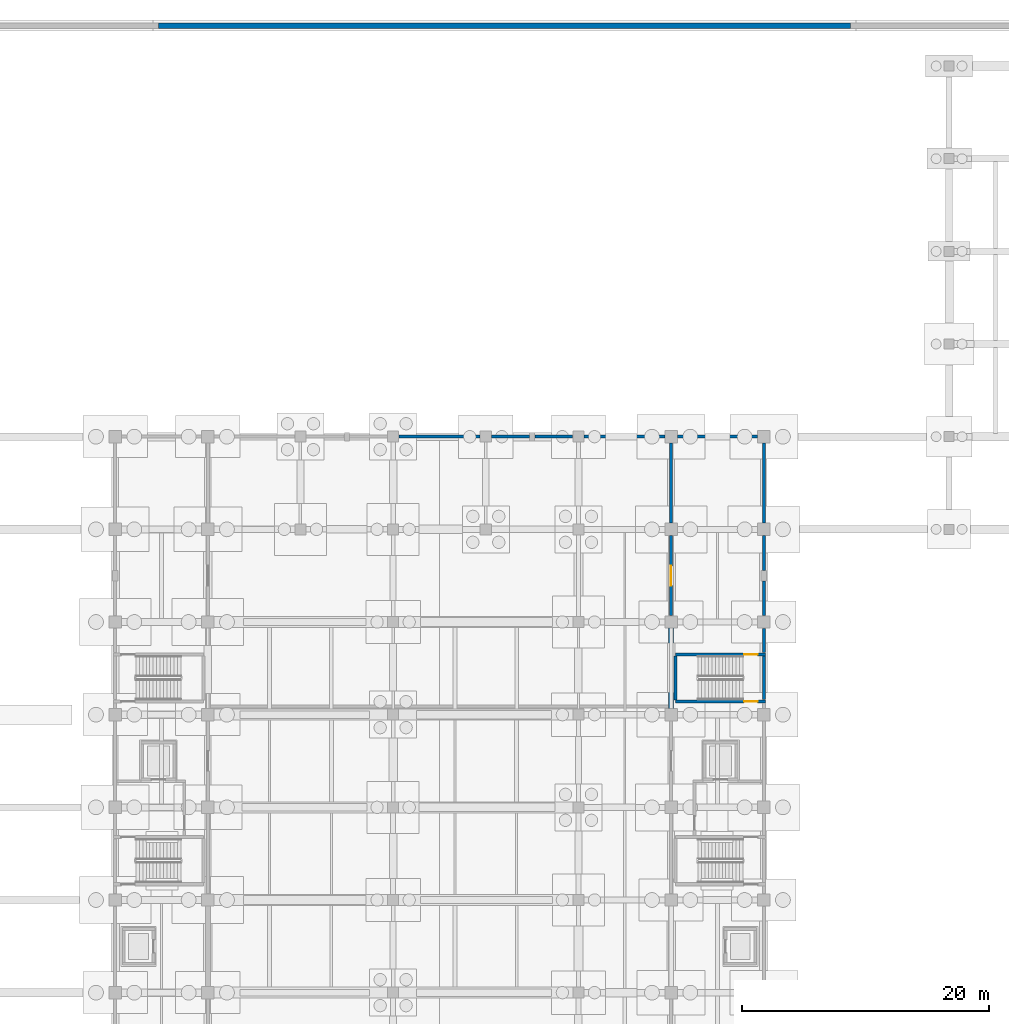
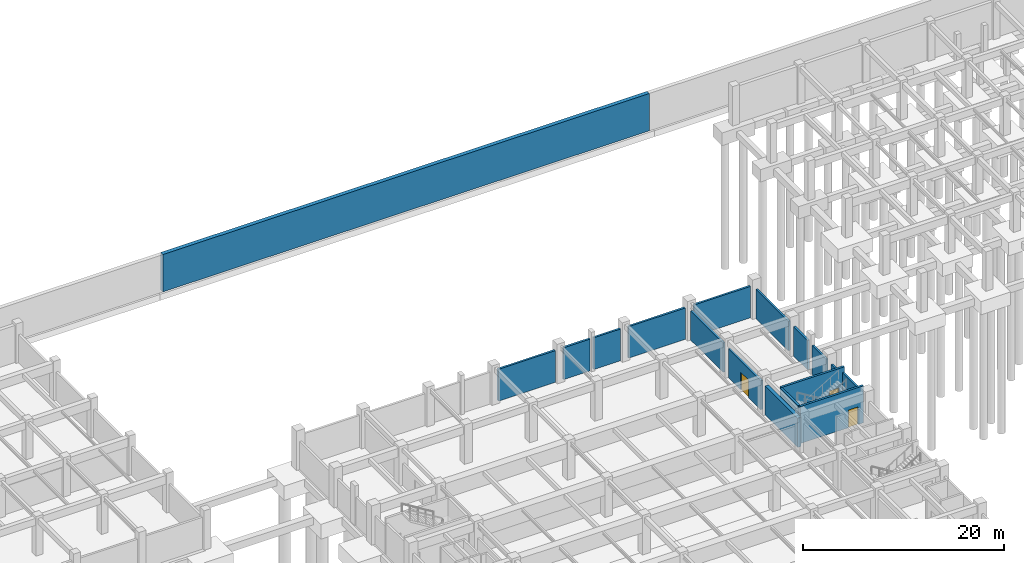
# One storey, part 27 of 38: 17 walls, 3 doors, 3 openings.
"""IFC4 building model written with IfcOpenShell, lengths in metres."""

from ifc_helpers import new_model, si_unit, direction, frame, frame_2d, origin, place, context, subcontext, project, spatial, rectangle, extrude, material, layer, layer_set, type_object, element, fill, save


model = new_model("IFC4")

# Units and contexts
model_context = context("Model", 3, precision=1e-05, world=origin(), true_north=direction((0.0, 1.0)))
body_context = subcontext(model_context, "Body", "Model", "MODEL_VIEW")
ifc_project = project(units=[si_unit("LENGTHUNIT", "METRE"), si_unit("AREAUNIT", "SQUARE_METRE"), si_unit("VOLUMEUNIT", "CUBIC_METRE"), si_unit("PLANEANGLEUNIT", "RADIAN"), si_unit("MASSUNIT", "GRAM", prefix="KILO")], contexts=[model_context])

# Site, building, storey
site_placement = place(None, origin())
site = spatial("IfcSite", under=ifc_project, at=site_placement, CompositionType="ELEMENT")
building_placement = place(site_placement, origin())
building = spatial("IfcBuilding", under=site, at=building_placement, Name="Qasida Concert Hall", CompositionType="ELEMENT")
storey_placement = place(building_placement, frame((0.0, 0.0, -4.800048828125)))
storey = spatial("IfcBuildingStorey", under=building, at=storey_placement, Name="B1", CompositionType="ELEMENT", Elevation=-4.800048828125)

# Wall, opening, door
ifc_material_1 = material(Name="Concrete C40/50", Category="concrete")
ifc_layer_1 = layer(ifc_material_1, 0.25, Name="Concrete C40/50")
ifc_layer_set_1 = layer_set([ifc_layer_1], Name="Concrete C40/50")
wall_type_1 = type_object("IfcWallType", Name="WL-CW-250", PredefinedType="SOLIDWALL", material=ifc_layer_set_1)
wall_1_placement = place(storey_placement, frame((97.860107421875, 61.074951171875, 0.0), z_axis=(0.0, 0.0, 1.0), x_axis=(1.0, 0.0, 0.0)))
wall_1 = element("IfcWall", 1, at=wall_1_placement, inside=storey, type_object=wall_type_1, Name="B1 ST-12 stairwell wall S", PredefinedType="SOLIDWALL", context=body_context, shape_type="SweptSolid", body=[
    extrude(rectangle(XDim=7.260009765625, YDim=0.25, at=frame_2d((3.6298828125, 0.0))), origin(), (0.0, 0.0, 1.0), 4.5),
])
opening_1_placement = place(wall_1_placement, frame((5.5400390625, 0.0, 0.0)))
opening_1 = element("IfcOpeningElement", 2, at=opening_1_placement, cuts=wall_1, Name="Opening FD-110", PredefinedType="OPENING", context=body_context, shape_type="SweptSolid", body=[
    extrude(rectangle(XDim=1.10009765625, YDim=2.14990234375, at=frame_2d((0.550048828125, 1.074951171875))), frame((0.0, 0.135009765625, 0.0), z_axis=(0.0, -1.0, 0.0), x_axis=(1.0, 0.0, 0.0)), (0.0, 0.0, 1.0), 0.27001953125),
])
ifc_material_2 = material(Name="Steel fire-rated stair/lobby door set", Category="steel")
door_type_1 = type_object("IfcDoorType", Name="FD-110", OperationType="NOTDEFINED", PredefinedType="DOOR", material=ifc_material_2)
door_1_placement = place(opening_1_placement, origin())
door_1 = element("IfcDoor", 3, at=door_1_placement, inside=storey, type_object=door_type_1, Name="B1 ST-12 rated stair door", OperationType="SINGLE_SWING_LEFT", OverallHeight=2.14990234375, OverallWidth=1.10009765625, PredefinedType="DOOR", context=body_context, shape_type="SweptSolid", body=[
    extrude(rectangle(XDim=1.10009765625, YDim=2.14990234375, at=frame_2d((0.550048828125, 1.074951171875))), frame((0.0, 0.02490234375, 0.0), z_axis=(0.0, -1.0, 0.0), x_axis=(1.0, 0.0, 0.0)), (0.0, 0.0, 1.0), 0.050048828125),
])
fill(opening_1, door_1)

wall_2_placement = place(storey_placement, frame((97.860107421875, 64.885009765625, 0.0), z_axis=(0.0, 0.0, 1.0), x_axis=(1.0, 0.0, 0.0)))
wall_2 = element("IfcWall", 4, at=wall_2_placement, inside=storey, type_object=wall_type_1, Name="B1 ST-12 stairwell wall N", PredefinedType="SOLIDWALL", context=body_context, shape_type="SweptSolid", body=[
    extrude(rectangle(XDim=7.260009765625, YDim=0.25, at=frame_2d((3.6298828125, 0.0))), origin(), (0.0, 0.0, 1.0), 4.5),
])
opening_2_placement = place(wall_2_placement, frame((5.5400390625, 0.0, 0.0)))
opening_2 = element("IfcOpeningElement", 5, at=opening_2_placement, cuts=wall_2, Name="Opening FD-110", PredefinedType="OPENING", context=body_context, shape_type="SweptSolid", body=[
    extrude(rectangle(XDim=1.10009765625, YDim=2.14990234375, at=frame_2d((0.550048828125, 1.074951171875))), frame((0.0, 0.135009765625, 0.0), z_axis=(0.0, -1.0, 0.0), x_axis=(1.0, 0.0, 0.0)), (0.0, 0.0, 1.0), 0.27001953125),
])
door_2_placement = place(opening_2_placement, frame((1.10009765625, 0.0, 0.0), z_axis=(0.0, 0.0, 1.0), x_axis=(-1.0, 0.0, 0.0)))
door_2 = element("IfcDoor", 6, at=door_2_placement, inside=storey, type_object=door_type_1, Name="B1 ST-12 rated stair door", OperationType="SINGLE_SWING_RIGHT", OverallHeight=2.14990234375, OverallWidth=1.10009765625, PredefinedType="DOOR", context=body_context, shape_type="SweptSolid", body=[
    extrude(rectangle(XDim=1.10009765625, YDim=2.14990234375, at=frame_2d((0.550048828125, 1.074951171875))), frame((0.0, 0.02490234375, 0.0), z_axis=(0.0, -1.0, 0.0), x_axis=(1.0, 0.0, 0.0)), (0.0, 0.0, 1.0), 0.050048828125),
])
fill(opening_2, door_2)

# Walls
wall_3_placement = place(storey_placement, frame((97.85498046875, 61.199951171875, 0.0), z_axis=(0.0, 0.0, 1.0), x_axis=(0.0, 1.0, 0.0)))
element("IfcWall", 7, at=wall_3_placement, inside=storey, type_object=wall_type_1, Name="B1 ST-12 stairwell wall W", PredefinedType="SOLIDWALL", context=body_context, shape_type="SweptSolid", body=[
    extrude(rectangle(XDim=3.56005859375, YDim=0.25, at=frame_2d((1.780029296875, 0.0))), origin(), (0.0, 0.0, 1.0), 4.5),
])
ifc_material_3 = material(Name="Double-stud acoustic gypsum and mineral wool", Category="gypsum")
ifc_layer_2 = layer(ifc_material_3, 0.239990234375, Name="Double-stud acoustic gypsum and mineral wool")
ifc_layer_set_2 = layer_set([ifc_layer_2], Name="Double-stud acoustic gypsum and mineral wool")
wall_type_2 = type_object("IfcWallType", Name="WL-PW-240", PredefinedType="PARTITIONING", material=ifc_layer_set_2)
wall_4_placement = place(storey_placement, frame((75.464111328125, 82.5, 0.0), z_axis=(0.0, 0.0, 1.0), x_axis=(1.0, 0.0, 0.0)))
element("IfcWall", 8, at=wall_4_placement, inside=storey, type_object=wall_type_2, Name="B1 partition PW-240 0034", PredefinedType="PARTITIONING", context=body_context, shape_type="SweptSolid", body=[
    extrude(rectangle(XDim=6.57177734375, YDim=0.239990234375, at=frame_2d((3.285888671875, 0.0))), origin(), (0.0, 0.0, 1.0), 3.8701171875),
])
for number, where, z_axis, x_axis, name in (
    (9, (82.964111328125, 82.5, 0.0), (0.0, 0.0, 1.0), (1.0, 0.0, 0.0), "B1 partition PW-240 0035"),
    (10, (86.464111328125, 82.5, 0.0), (0.0, 0.0, 1.0), (1.0, 0.0, 0.0), "B1 partition PW-240 0036"),
):
    element("IfcWall", number, at=place(storey_placement, frame(where, z_axis=z_axis, x_axis=x_axis)), inside=storey, type_object=wall_type_2, Name=name, PredefinedType="PARTITIONING", context=body_context, shape_type="SweptSolid", body=[
        extrude(rectangle(XDim=3.07177734375, YDim=0.239990234375, at=frame_2d((1.535888671875, 0.0))), origin(), (0.0, 0.0, 1.0), 3.8701171875),
    ])
wall_5_placement = place(storey_placement, frame((90.464111328125, 82.5, 0.0), z_axis=(0.0, 0.0, 1.0), x_axis=(1.0, 0.0, 0.0)))
element("IfcWall", 11, at=wall_5_placement, inside=storey, type_object=wall_type_2, Name="B1 partition PW-240 0037", PredefinedType="PARTITIONING", context=body_context, shape_type="SweptSolid", body=[
    extrude(rectangle(XDim=6.52197265625, YDim=0.239990234375, at=frame_2d((3.260986328125, 0.0))), origin(), (0.0, 0.0, 1.0), 3.820068359375),
])
wall_6_placement = place(storey_placement, frame((98.013916015625, 82.5, 0.0), z_axis=(0.0, 0.0, 1.0), x_axis=(1.0, 0.0, 0.0)))
element("IfcWall", 12, at=wall_6_placement, inside=storey, type_object=wall_type_2, Name="B1 partition PW-240 0038", PredefinedType="PARTITIONING", context=body_context, shape_type="SweptSolid", body=[
    extrude(rectangle(XDim=6.47216796875, YDim=0.239990234375, at=frame_2d((3.236083984375, 0.0))), origin(), (0.0, 0.0, 1.0), 3.820068359375),
])
wall_7_placement = place(storey_placement, frame((105.0, 61.214111328125, 0.0), z_axis=(0.0, 0.0, 1.0), x_axis=(0.0, 1.0, 0.0)))
element("IfcWall", 13, at=wall_7_placement, inside=storey, type_object=wall_type_2, Name="B1 partition PW-240 0060", PredefinedType="PARTITIONING", context=body_context, shape_type="SweptSolid", body=[
    extrude(rectangle(XDim=3.531982421875, YDim=0.239990234375, at=frame_2d((1.76611328125, 0.0))), origin(), (0.0, 0.0, 1.0), 3.8701171875),
])
wall_8_placement = place(storey_placement, frame((105.0, 65.02392578125, 0.0), z_axis=(0.0, 0.0, 1.0), x_axis=(0.0, 1.0, 0.0)))
element("IfcWall", 14, at=wall_8_placement, inside=storey, type_object=wall_type_2, Name="B1 partition PW-240 0061", PredefinedType="PARTITIONING", context=body_context, shape_type="SweptSolid", body=[
    extrude(rectangle(XDim=1.962158203125, YDim=0.239990234375, at=frame_2d((0.98095703125, 0.0))), origin(), (0.0, 0.0, 1.0), 3.52001953125),
])
wall_9_placement = place(storey_placement, frame((105.0, 68.013916015625, 0.0), z_axis=(0.0, 0.0, 1.0), x_axis=(0.0, 1.0, 0.0)))
element("IfcWall", 15, at=wall_9_placement, inside=storey, type_object=wall_type_2, Name="B1 partition PW-240 0062", PredefinedType="PARTITIONING", context=body_context, shape_type="SweptSolid", body=[
    extrude(rectangle(XDim=2.797119140625, YDim=0.239990234375, at=frame_2d((1.3984375, 0.0))), origin(), (0.0, 0.0, 1.0), 3.52001953125),
])
wall_10_placement = place(storey_placement, frame((105.0, 71.68896484375, 0.0), z_axis=(0.0, 0.0, 1.0), x_axis=(0.0, 1.0, 0.0)))
element("IfcWall", 16, at=wall_10_placement, inside=storey, type_object=wall_type_2, Name="B1 partition PW-240 0063", PredefinedType="PARTITIONING", context=body_context, shape_type="SweptSolid", body=[
    extrude(rectangle(XDim=2.797119140625, YDim=0.239990234375, at=frame_2d((1.3984375, 0.0))), origin(), (0.0, 0.0, 1.0), 3.570068359375),
])
wall_11_placement = place(storey_placement, frame((105.0, 75.513916015625, 0.0), z_axis=(0.0, 0.0, 1.0), x_axis=(0.0, 1.0, 0.0)))
element("IfcWall", 17, at=wall_11_placement, inside=storey, type_object=wall_type_2, Name="B1 partition PW-240 0064", PredefinedType="PARTITIONING", context=body_context, shape_type="SweptSolid", body=[
    extrude(rectangle(XDim=6.47216796875, YDim=0.239990234375, at=frame_2d((3.236083984375, 0.0))), origin(), (0.0, 0.0, 1.0), 3.570068359375),
])

# Wall, opening, door
wall_12_placement = place(storey_placement, frame((97.5, 68.013916015625, 0.0), z_axis=(0.0, 0.0, 1.0), x_axis=(0.0, 1.0, 0.0)))
wall_12 = element("IfcWall", 18, at=wall_12_placement, inside=storey, type_object=wall_type_2, Name="B1 partition PW-240 0407", PredefinedType="PARTITIONING", context=body_context, shape_type="SweptSolid", body=[
    extrude(rectangle(XDim=6.47216796875, YDim=0.239990234375, at=frame_2d((3.236083984375, 0.0))), origin(), (0.0, 0.0, 1.0), 3.52001953125),
])
opening_3_placement = place(wall_12_placement, frame((2.43603515625, 0.0, 0.0)))
opening_3 = element("IfcOpeningElement", 19, at=opening_3_placement, cuts=wall_12, Name="Opening FD-160", PredefinedType="OPENING", context=body_context, shape_type="SweptSolid", body=[
    extrude(rectangle(XDim=1.60009765625, YDim=2.14990234375, at=frame_2d((0.800048828125, 1.074951171875))), frame((0.0, 0.1298828125, 0.0), z_axis=(0.0, -1.0, 0.0), x_axis=(1.0, 0.0, 0.0)), (0.0, 0.0, 1.0), 0.260009765625),
])
ifc_material_4 = material(Name="Double-leaf acoustic fire door", Category="steel")
door_type_2 = type_object("IfcDoorType", Name="FD-160", OperationType="NOTDEFINED", PredefinedType="DOOR", material=ifc_material_4)
door_3_placement = place(opening_3_placement, origin())
door_3 = element("IfcDoor", 20, at=door_3_placement, inside=storey, type_object=door_type_2, Name="B1 Pit machinery hall east fire door", OperationType="SINGLE_SWING_LEFT", OverallHeight=2.14990234375, OverallWidth=1.60009765625, PredefinedType="DOOR", context=body_context, shape_type="SweptSolid", body=[
    extrude(rectangle(XDim=1.60009765625, YDim=2.14990234375, at=frame_2d((0.800048828125, 1.074951171875))), frame((0.0, 0.02490234375, 0.0), z_axis=(0.0, -1.0, 0.0), x_axis=(1.0, 0.0, 0.0)), (0.0, 0.0, 1.0), 0.050048828125),
])
fill(opening_3, door_3)

# Walls
wall_13_placement = place(storey_placement, frame((97.5, 75.513916015625, 0.0), z_axis=(0.0, 0.0, 1.0), x_axis=(0.0, 1.0, 0.0)))
element("IfcWall", 21, at=wall_13_placement, inside=storey, type_object=wall_type_2, Name="B1 partition PW-240 0408", PredefinedType="PARTITIONING", context=body_context, shape_type="SweptSolid", body=[
    extrude(rectangle(XDim=6.47216796875, YDim=0.239990234375, at=frame_2d((3.236083984375, 0.0))), origin(), (0.0, 0.0, 1.0), 3.570068359375),
])
ifc_layer_3 = layer(ifc_material_1, 0.449951171875, Name="Concrete C40/50")
ifc_layer_set_3 = layer_set([ifc_layer_3], Name="Concrete C40/50")
wall_type_3 = type_object("IfcWallType", Name="WL-RW-450", PredefinedType="USERDEFINED", material=ifc_layer_set_3)
wall_14_placement = place(storey_placement, frame((56.0, 115.77490234375, 0.0), z_axis=(0.0, 0.0, 1.0), x_axis=(1.0, 0.0, 0.0)))
element("IfcWall", 22, at=wall_14_placement, inside=storey, type_object=wall_type_3, Name="B1 civic plaza plinth retaining wall PLW-N2", ObjectType="RETAININGWALL", PredefinedType="USERDEFINED", context=body_context, shape_type="SweptSolid", body=[
    extrude(rectangle(XDim=56.0, YDim=0.449951171875, at=frame_2d((28.0, 0.0))), origin(), (0.0, 0.0, 1.0), 4.550048828125),
])
ifc_layer_4 = layer(ifc_material_1, 0.39990234375, Name="Concrete C40/50")
ifc_layer_set_4 = layer_set([ifc_layer_4], Name="Concrete C40/50")
wall_type_4 = type_object("IfcWallType", Name="WL-SW-400", PredefinedType="SHEAR", material=ifc_layer_set_4)
wall_15_placement = place(storey_placement, frame((97.5, 60.5, 0.0), z_axis=(0.0, 0.0, 1.0), x_axis=(0.0, 1.0, 0.0)))
element("IfcWall", 23, at=wall_15_placement, inside=storey, type_object=wall_type_4, Name="B1 acoustic box shear wall 0004", PredefinedType="SHEAR", context=body_context, shape_type="SweptSolid", body=[
    extrude(rectangle(XDim=6.5, YDim=0.39990234375, at=frame_2d((3.25, 0.0))), origin(), (0.0, 0.0, 1.0), 3.550048828125),
])

save(model, "model.ifc")
